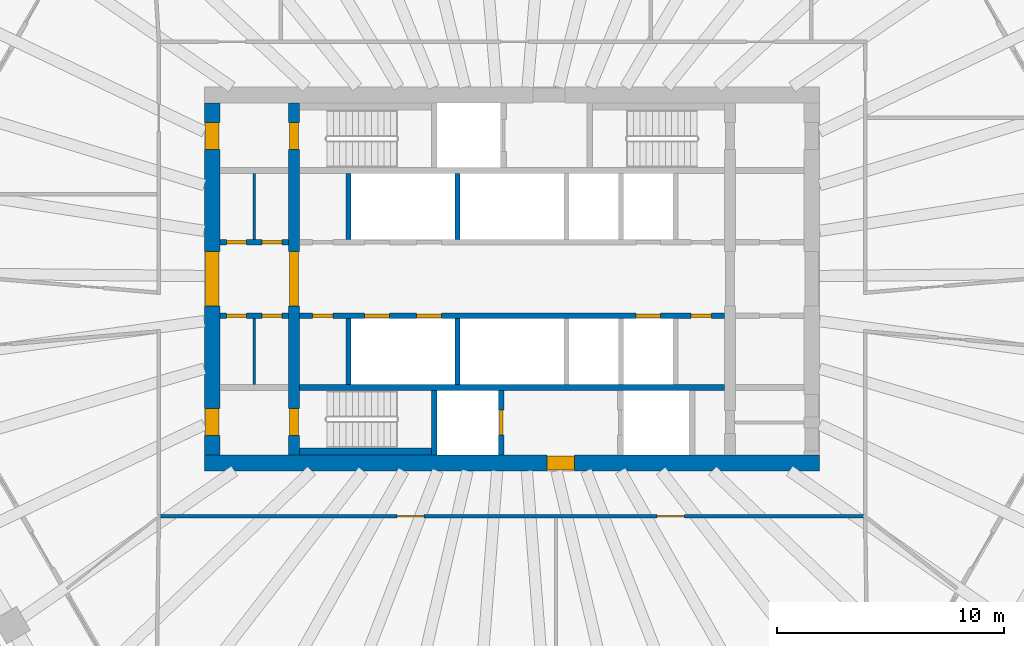
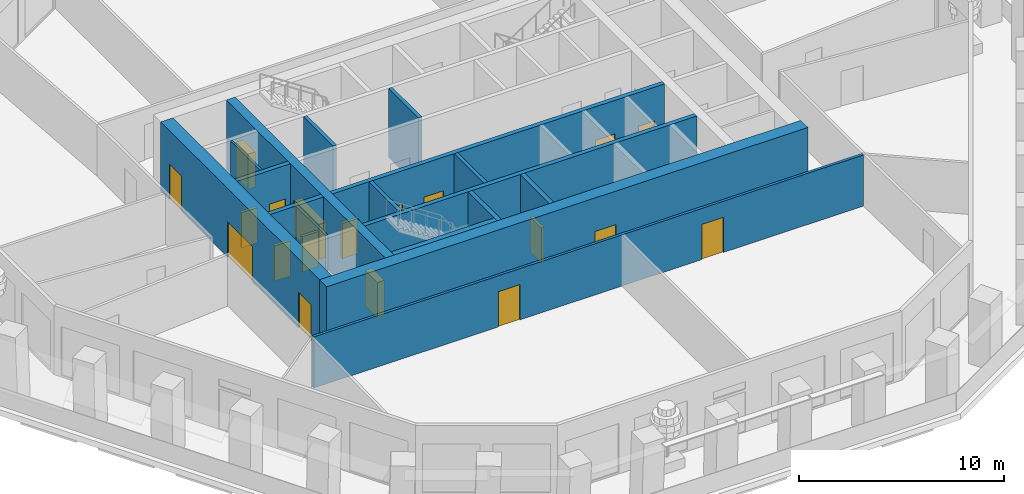
# One storey, part 4 of 12: 19 doors, 17 walls, 19 openings.
"""IFC4 building model written with IfcOpenShell, lengths in metres."""

from ifc_helpers import new_model, si_unit, direction, frame, frame_2d, origin, place, context, subcontext, project, spatial, rectangle, extrude, material, layer, layer_set, type_object, element, fill, save


model = new_model("IFC4")

# Units and contexts
model_context = context("Model", 3, precision=1e-05, world=origin(), true_north=direction((0.0, 1.0)))
body_context = subcontext(model_context, "Body", "Model", "MODEL_VIEW")
ifc_project = project(units=[si_unit("LENGTHUNIT", "METRE"), si_unit("AREAUNIT", "SQUARE_METRE"), si_unit("VOLUMEUNIT", "CUBIC_METRE"), si_unit("PLANEANGLEUNIT", "RADIAN"), si_unit("MASSUNIT", "GRAM", prefix="KILO")], contexts=[model_context])

# Site, building, storey
site_placement = place(None, origin())
site = spatial("IfcSite", under=ifc_project, at=site_placement, CompositionType="ELEMENT")
building_placement = place(site_placement, origin())
building = spatial("IfcBuilding", under=site, at=building_placement, Name="Frailejon Research Tower", CompositionType="ELEMENT")
storey_placement = place(building_placement, frame((0.0, 0.0, 154.0)))
storey = spatial("IfcBuildingStorey", under=building, at=storey_placement, Name="L33", CompositionType="ELEMENT", Elevation=154.0)

# Walls
ifc_material_1 = material(Name="Plasterboard on steel studs", Category="steel")
ifc_layer_1 = layer(ifc_material_1, 0.125)
ifc_layer_set_1 = layer_set([ifc_layer_1], Name="Core partition 125")
wall_type_1 = type_object("IfcWallType", Name="Core partition 125", PredefinedType="PARTITIONING", material=ifc_layer_set_1)
for number, where, z_axis, x_axis, name in (
    (1, (-11.35009765625, 1.75, 0.0), (0.0, 0.0, 1.0), (0.0, 1.0, 0.0), "Core partition"),
    (2, (-11.35009765625, -4.64990234375, 0.0), (0.0, 0.0, 1.0), (0.0, 1.0, 0.0), "Core partition"),
):
    element("IfcWall", number, at=place(storey_placement, frame(where, z_axis=z_axis, x_axis=x_axis)), inside=storey, type_object=wall_type_1, Name=name, PredefinedType="PARTITIONING", context=body_context, shape_type="SweptSolid", body=[
        extrude(rectangle(XDim=2.89990234375, YDim=0.125, at=frame_2d((1.449951171875, 0.0))), origin(), (0.0, 0.0, 1.0), 4.10009765625),
    ])

# Wall, openings, doors
ifc_material_2 = material(Name="Concrete C60/75", Category="concrete")
ifc_layer_2 = layer(ifc_material_2, 0.5)
ifc_layer_set_2 = layer_set([ifc_layer_2], Name="Core shear wall 500 C60/75")
wall_type_2 = type_object("IfcWallType", Name="Core shear wall 500 C60/75", PredefinedType="SHEAR", material=ifc_layer_set_2)
wall_1_placement = place(storey_placement, frame((-9.60009765625, -7.75, 0.0), z_axis=(0.0, 0.0, 1.0), x_axis=(0.0, 1.0, 0.0)))
wall_1 = element("IfcWall", 3, at=wall_1_placement, inside=storey, type_object=wall_type_2, Name="Core shear wall", PredefinedType="SHEAR", context=body_context, shape_type="SweptSolid", body=[
    extrude(rectangle(XDim=15.5, YDim=0.5, at=frame_2d((7.75, 0.0))), origin(), (0.0, 0.0, 1.0), 4.10009765625),
])
opening_1_placement = place(wall_1_placement, frame((6.550048828125, 0.0, 0.0)))
opening_1 = element("IfcOpeningElement", 4, at=opening_1_placement, cuts=wall_1, Name="Opening D2", PredefinedType="OPENING", context=body_context, shape_type="SweptSolid", body=[
    extrude(rectangle(XDim=2.39990234375, YDim=2.10009765625, at=frame_2d((1.199951171875, 1.050048828125))), frame((0.0, 0.260009765625, 0.0), z_axis=(0.0, -1.0, 0.0), x_axis=(1.0, 0.0, 0.0)), (0.0, 0.0, 1.0), 0.52001953125),
])
opening_2_placement = place(wall_1_placement, frame((13.449951171875, 0.0, 0.0)))
opening_2 = element("IfcOpeningElement", 5, at=opening_2_placement, cuts=wall_1, Name="Opening D1", PredefinedType="OPENING", context=body_context, shape_type="SweptSolid", body=[
    extrude(rectangle(XDim=1.199951171875, YDim=2.10009765625, at=frame_2d((0.60009765625, 1.050048828125))), frame((0.0, 0.260009765625, 0.0), z_axis=(0.0, -1.0, 0.0), x_axis=(1.0, 0.0, 0.0)), (0.0, 0.0, 1.0), 0.52001953125),
])
opening_3_placement = place(wall_1_placement, frame((0.85009765625, 0.0, 0.0)))
opening_3 = element("IfcOpeningElement", 6, at=opening_3_placement, cuts=wall_1, Name="Opening D1", PredefinedType="OPENING", context=body_context, shape_type="SweptSolid", body=[
    extrude(rectangle(XDim=1.199951171875, YDim=2.10009765625, at=frame_2d((0.60009765625, 1.050048828125))), frame((0.0, 0.260009765625, 0.0), z_axis=(0.0, -1.0, 0.0), x_axis=(1.0, 0.0, 0.0)), (0.0, 0.0, 1.0), 0.52001953125),
])
ifc_material_3 = material(Name="Steel", Category="steel")
door_type_1 = type_object("IfcDoorType", Name="Lobby double door", OperationType="DOUBLE_DOOR_SINGLE_SWING", PredefinedType="DOOR", material=ifc_material_3)
door_1_placement = place(opening_1_placement, origin())
door_1 = element("IfcDoor", 7, at=door_1_placement, inside=storey, type_object=door_type_1, Name="Lobby door", OperationType="DOUBLE_DOOR_SINGLE_SWING", OverallHeight=2.10009765625, OverallWidth=2.39990234375, PredefinedType="DOOR", context=body_context, shape_type="SweptSolid", body=[
    extrude(rectangle(XDim=2.39990234375, YDim=2.10009765625, at=frame_2d((1.199951171875, 1.050048828125))), frame((0.0, 0.199951171875, 0.0), z_axis=(0.0, -1.0, 0.0), x_axis=(1.0, 0.0, 0.0)), (0.0, 0.0, 1.0), 0.39990234375),
])
fill(opening_1, door_1)
ifc_material_4 = material(Name="Steel", Category="steel")
door_type_2 = type_object("IfcDoorType", Name="Stair door", OperationType="SINGLE_SWING_LEFT", PredefinedType="DOOR", material=ifc_material_4)
door_2_placement = place(opening_2_placement, origin())
door_2 = element("IfcDoor", 8, at=door_2_placement, inside=storey, type_object=door_type_2, Name="Stair door ST1", OperationType="SINGLE_SWING_RIGHT", OverallHeight=2.10009765625, OverallWidth=1.199951171875, PredefinedType="DOOR", context=body_context, shape_type="SweptSolid", body=[
    extrude(rectangle(XDim=1.199951171875, YDim=2.10009765625, at=frame_2d((0.60009765625, 1.050048828125))), frame((0.0, 0.199951171875, 0.0), z_axis=(0.0, -1.0, 0.0), x_axis=(1.0, 0.0, 0.0)), (0.0, 0.0, 1.0), 0.39990234375),
])
fill(opening_2, door_2)
door_3_placement = place(opening_3_placement, origin())
door_3 = element("IfcDoor", 9, at=door_3_placement, inside=storey, type_object=door_type_2, Name="Stair door ST2", OperationType="SINGLE_SWING_RIGHT", OverallHeight=2.10009765625, OverallWidth=1.199951171875, PredefinedType="DOOR", context=body_context, shape_type="SweptSolid", body=[
    extrude(rectangle(XDim=1.199951171875, YDim=2.10009765625, at=frame_2d((0.60009765625, 1.050048828125))), frame((0.0, 0.199951171875, 0.0), z_axis=(0.0, -1.0, 0.0), x_axis=(1.0, 0.0, 0.0)), (0.0, 0.0, 1.0), 0.39990234375),
])
fill(opening_3, door_3)

# Wall, opening, door
ifc_material_5 = material(Name="Concrete C60/75", Category="concrete")
ifc_layer_3 = layer(ifc_material_5, 0.699951171875)
ifc_layer_set_3 = layer_set([ifc_layer_3], Name="Core shear wall 700 C60/75")
wall_type_3 = type_object("IfcWallType", Name="Core shear wall 700 C60/75", PredefinedType="SHEAR", material=ifc_layer_set_3)
wall_2_placement = place(storey_placement, frame((-13.550048828125, -8.10009765625, 0.0), z_axis=(0.0, 0.0, 1.0), x_axis=(1.0, 0.0, 0.0)))
wall_2 = element("IfcWall", 10, at=wall_2_placement, inside=storey, type_object=wall_type_3, Name="Core shear wall", PredefinedType="SHEAR", context=body_context, shape_type="SweptSolid", body=[
    extrude(rectangle(XDim=27.10009765625, YDim=0.699951171875, at=frame_2d((13.550048828125, 0.0))), origin(), (0.0, 0.0, 1.0), 4.10009765625),
])
opening_4_placement = place(wall_2_placement, frame((15.10009765625, 0.0, 0.0)))
opening_4 = element("IfcOpeningElement", 11, at=opening_4_placement, cuts=wall_2, Name="Opening D3", PredefinedType="OPENING", context=body_context, shape_type="SweptSolid", body=[
    extrude(rectangle(XDim=1.199951171875, YDim=2.10009765625, at=frame_2d((0.60009765625, 1.050048828125))), frame((0.0, 0.35986328125, 0.0), z_axis=(0.0, -1.0, 0.0), x_axis=(1.0, 0.0, 0.0)), (0.0, 0.0, 1.0), 0.719970703125),
])
ifc_material_6 = material(Name="Steel", Category="steel")
door_type_3 = type_object("IfcDoorType", Name="Firefighting lobby door", OperationType="SINGLE_SWING_LEFT", PredefinedType="DOOR", material=ifc_material_6)
door_4_placement = place(opening_4_placement, origin())
door_4 = element("IfcDoor", 12, at=door_4_placement, inside=storey, type_object=door_type_3, Name="Firefighting lobby door", OperationType="SINGLE_SWING_RIGHT", OverallHeight=2.10009765625, OverallWidth=1.199951171875, PredefinedType="DOOR", context=body_context, shape_type="SweptSolid", body=[
    extrude(rectangle(XDim=1.199951171875, YDim=2.10009765625, at=frame_2d((0.60009765625, 1.050048828125))), frame((0.0, 0.300048828125, 0.0), z_axis=(0.0, -1.0, 0.0), x_axis=(1.0, 0.0, 0.0)), (0.0, 0.0, 1.0), 0.60009765625),
])
fill(opening_4, door_4)

# Wall, openings, doors
wall_3_placement = place(storey_placement, frame((-13.199951171875, -7.75, 0.0), z_axis=(0.0, 0.0, 1.0), x_axis=(0.0, 1.0, 0.0)))
wall_3 = element("IfcWall", 13, at=wall_3_placement, inside=storey, type_object=wall_type_3, Name="Core shear wall", PredefinedType="SHEAR", context=body_context, shape_type="SweptSolid", body=[
    extrude(rectangle(XDim=15.5, YDim=0.699951171875, at=frame_2d((7.75, 0.0))), origin(), (0.0, 0.0, 1.0), 4.10009765625),
])
opening_5_placement = place(wall_3_placement, frame((6.550048828125, 0.0, 0.0)))
opening_5 = element("IfcOpeningElement", 14, at=opening_5_placement, cuts=wall_3, Name="Opening D2", PredefinedType="OPENING", context=body_context, shape_type="SweptSolid", body=[
    extrude(rectangle(XDim=2.39990234375, YDim=2.10009765625, at=frame_2d((1.199951171875, 1.050048828125))), frame((0.0, 0.35986328125, 0.0), z_axis=(0.0, -1.0, 0.0), x_axis=(1.0, 0.0, 0.0)), (0.0, 0.0, 1.0), 0.719970703125),
])
opening_6_placement = place(wall_3_placement, frame((13.449951171875, 0.0, 0.0)))
opening_6 = element("IfcOpeningElement", 15, at=opening_6_placement, cuts=wall_3, Name="Opening D7", PredefinedType="OPENING", context=body_context, shape_type="SweptSolid", body=[
    extrude(rectangle(XDim=1.199951171875, YDim=2.10009765625, at=frame_2d((0.60009765625, 1.050048828125))), frame((0.0, 0.35986328125, 0.0), z_axis=(0.0, -1.0, 0.0), x_axis=(1.0, 0.0, 0.0)), (0.0, 0.0, 1.0), 0.719970703125),
])
opening_7_placement = place(wall_3_placement, frame((0.85009765625, 0.0, 0.0)))
opening_7 = element("IfcOpeningElement", 16, at=opening_7_placement, cuts=wall_3, Name="Opening D7", PredefinedType="OPENING", context=body_context, shape_type="SweptSolid", body=[
    extrude(rectangle(XDim=1.199951171875, YDim=2.10009765625, at=frame_2d((0.60009765625, 1.050048828125))), frame((0.0, 0.35986328125, 0.0), z_axis=(0.0, -1.0, 0.0), x_axis=(1.0, 0.0, 0.0)), (0.0, 0.0, 1.0), 0.719970703125),
])
door_5_placement = place(opening_5_placement, origin())
door_5 = element("IfcDoor", 17, at=door_5_placement, inside=storey, type_object=door_type_1, Name="Lobby door", OperationType="DOUBLE_DOOR_SINGLE_SWING", OverallHeight=2.10009765625, OverallWidth=2.39990234375, PredefinedType="DOOR", context=body_context, shape_type="SweptSolid", body=[
    extrude(rectangle(XDim=2.39990234375, YDim=2.10009765625, at=frame_2d((1.199951171875, 1.050048828125))), frame((0.0, 0.300048828125, 0.0), z_axis=(0.0, -1.0, 0.0), x_axis=(1.0, 0.0, 0.0)), (0.0, 0.0, 1.0), 0.60009765625),
])
fill(opening_5, door_5)
ifc_material_7 = material(Name="Steel", Category="steel")
door_type_4 = type_object("IfcDoorType", Name="Stair exit door", OperationType="SINGLE_SWING_LEFT", PredefinedType="DOOR", material=ifc_material_7)
door_6_placement = place(opening_6_placement, origin())
door_6 = element("IfcDoor", 18, at=door_6_placement, inside=storey, type_object=door_type_4, Name="Stair exit door ST1", OperationType="SINGLE_SWING_LEFT", OverallHeight=2.10009765625, OverallWidth=1.199951171875, PredefinedType="DOOR", context=body_context, shape_type="SweptSolid", body=[
    extrude(rectangle(XDim=1.199951171875, YDim=2.10009765625, at=frame_2d((0.60009765625, 1.050048828125))), frame((0.0, 0.300048828125, 0.0), z_axis=(0.0, -1.0, 0.0), x_axis=(1.0, 0.0, 0.0)), (0.0, 0.0, 1.0), 0.60009765625),
])
fill(opening_6, door_6)
door_7_placement = place(opening_7_placement, origin())
door_7 = element("IfcDoor", 19, at=door_7_placement, inside=storey, type_object=door_type_4, Name="Stair exit door ST2", OperationType="SINGLE_SWING_LEFT", OverallHeight=2.10009765625, OverallWidth=1.199951171875, PredefinedType="DOOR", context=body_context, shape_type="SweptSolid", body=[
    extrude(rectangle(XDim=1.199951171875, YDim=2.10009765625, at=frame_2d((0.60009765625, 1.050048828125))), frame((0.0, 0.300048828125, 0.0), z_axis=(0.0, -1.0, 0.0), x_axis=(1.0, 0.0, 0.0)), (0.0, 0.0, 1.0), 0.60009765625),
])
fill(opening_7, door_7)

ifc_material_8 = material(Name="Gypsum board and masonry partition", Category="masonry")
ifc_layer_4 = layer(ifc_material_8, 0.14990234375)
ifc_layer_set_4 = layer_set([ifc_layer_4], Name="Corridor wall EI 60, gypsum on steel studs 150")
wall_type_4 = type_object("IfcWallType", Name="Corridor wall EI 60, gypsum on steel studs 150", PredefinedType="PARTITIONING", material=ifc_layer_set_4)
wall_4_placement = place(storey_placement, frame((-15.47509765625, -10.449951171875, 0.0), z_axis=(0.0, 0.0, 1.0), x_axis=(1.0, 0.0, 0.0)))
wall_4 = element("IfcWall", 20, at=wall_4_placement, inside=storey, type_object=wall_type_4, Name="T:IW:L33:008", PredefinedType="PARTITIONING", context=body_context, shape_type="SweptSolid", body=[
    extrude(rectangle(XDim=30.9501953125, YDim=0.14990234375, at=frame_2d((15.47509765625, 0.0))), origin(), (0.0, 0.0, 1.0), 3.050048828125),
])
opening_8_placement = place(wall_4_placement, frame((10.408203125, 0.0, 0.0)))
opening_8 = element("IfcOpeningElement", 21, at=opening_8_placement, cuts=wall_4, Name="Opening D1730", PredefinedType="OPENING", context=body_context, shape_type="SweptSolid", body=[
    extrude(rectangle(XDim=1.199951171875, YDim=2.10009765625, at=frame_2d((0.60009765625, 1.050048828125))), frame((0.0, 0.0849609375, 0.0), z_axis=(0.0, -1.0, 0.0), x_axis=(1.0, 0.0, 0.0)), (0.0, 0.0, 1.0), 0.169921875),
])
opening_9_placement = place(wall_4_placement, frame((21.863037109375, 0.0, 0.0)))
opening_9 = element("IfcOpeningElement", 22, at=opening_9_placement, cuts=wall_4, Name="Opening D1731", PredefinedType="OPENING", context=body_context, shape_type="SweptSolid", body=[
    extrude(rectangle(XDim=1.199951171875, YDim=2.10009765625, at=frame_2d((0.60009765625, 1.050048828125))), frame((0.0, 0.0849609375, 0.0), z_axis=(0.0, -1.0, 0.0), x_axis=(1.0, 0.0, 0.0)), (0.0, 0.0, 1.0), 0.169921875),
])
ifc_material_9 = material(Name="Timber door leaf", Category="wood")
door_type_5 = type_object("IfcDoorType", Name="Door laboratory, timber, vision panel 1200", OperationType="NOTDEFINED", PredefinedType="DOOR", material=ifc_material_9)
door_8_placement = place(opening_8_placement, origin())
door_8 = element("IfcDoor", 23, at=door_8_placement, inside=storey, type_object=door_type_5, Name="D1730", OperationType="DOUBLE_DOOR_SINGLE_SWING", OverallHeight=2.10009765625, OverallWidth=1.199951171875, PredefinedType="DOOR", context=body_context, shape_type="SweptSolid", body=[
    extrude(rectangle(XDim=1.199951171875, YDim=2.10009765625, at=frame_2d((0.60009765625, 1.050048828125))), frame((0.0, 0.02490234375, 0.0), z_axis=(0.0, -1.0, 0.0), x_axis=(1.0, 0.0, 0.0)), (0.0, 0.0, 1.0), 0.050048828125),
])
fill(opening_8, door_8)
door_9_placement = place(opening_9_placement, origin())
door_9 = element("IfcDoor", 24, at=door_9_placement, inside=storey, type_object=door_type_5, Name="D1731", OperationType="DOUBLE_DOOR_SINGLE_SWING", OverallHeight=2.10009765625, OverallWidth=1.199951171875, PredefinedType="DOOR", context=body_context, shape_type="SweptSolid", body=[
    extrude(rectangle(XDim=1.199951171875, YDim=2.10009765625, at=frame_2d((0.60009765625, 1.050048828125))), frame((0.0, 0.02490234375, 0.0), z_axis=(0.0, -1.0, 0.0), x_axis=(1.0, 0.0, 0.0)), (0.0, 0.0, 1.0), 0.050048828125),
])
fill(opening_9, door_9)

# Walls
ifc_material_10 = material(Name="Concrete C60/75", Category="concrete")
ifc_layer_5 = layer(ifc_material_10, 0.199951171875)
ifc_layer_set_5 = layer_set([ifc_layer_5], Name="Shaft wall 200 C60/75")
wall_type_5 = type_object("IfcWallType", Name="Shaft wall 200 C60/75", PredefinedType="SOLIDWALL", material=ifc_layer_set_5)
for number, where, z_axis, x_axis, name in (
    (25, (-7.199951171875, 1.75, 0.0), (0.0, 0.0, 1.0), (0.0, 1.0, 0.0), "Shaft wall"),
    (26, (-2.39990234375, 1.75, 0.0), (0.0, 0.0, 1.0), (0.0, 1.0, 0.0), "Shaft wall"),
    (27, (-7.199951171875, -4.64990234375, 0.0), (0.0, 0.0, 1.0), (0.0, 1.0, 0.0), "Shaft wall"),
    (28, (-2.39990234375, -4.64990234375, 0.0), (0.0, 0.0, 1.0), (0.0, 1.0, 0.0), "Shaft wall"),
):
    element("IfcWall", number, at=place(storey_placement, frame(where, z_axis=z_axis, x_axis=x_axis)), inside=storey, type_object=wall_type_5, Name=name, PredefinedType="SOLIDWALL", context=body_context, shape_type="SweptSolid", body=[
        extrude(rectangle(XDim=2.89990234375, YDim=0.199951171875, at=frame_2d((1.449951171875, 0.0))), origin(), (0.0, 0.0, 1.0), 4.10009765625),
    ])

# Wall, openings, doors
ifc_material_11 = material(Name="Concrete C60/75", Category="concrete")
ifc_layer_6 = layer(ifc_material_11, 0.25)
ifc_layer_set_6 = layer_set([ifc_layer_6], Name="Shaft wall 250 C60/75")
wall_type_6 = type_object("IfcWallType", Name="Shaft wall 250 C60/75", PredefinedType="SOLIDWALL", material=ifc_layer_set_6)
wall_5_placement = place(storey_placement, frame((-12.85009765625, 1.625, 0.0), z_axis=(0.0, 0.0, 1.0), x_axis=(1.0, 0.0, 0.0)))
wall_5 = element("IfcWall", 29, at=wall_5_placement, inside=storey, type_object=wall_type_6, Name="Shaft wall", PredefinedType="SOLIDWALL", context=body_context, shape_type="SweptSolid", body=[
    extrude(rectangle(XDim=3.0, YDim=0.25, at=frame_2d((1.5, 0.0))), origin(), (0.0, 0.0, 1.0), 4.10009765625),
])
opening_10_placement = place(wall_5_placement, frame((0.268798828125, 0.0, 0.0)))
opening_10 = element("IfcOpeningElement", 30, at=opening_10_placement, cuts=wall_5, Name="Opening D8", PredefinedType="OPENING", context=body_context, shape_type="SweptSolid", body=[
    extrude(rectangle(XDim=0.89990234375, YDim=2.10009765625, at=frame_2d((0.449951171875, 1.050048828125))), frame((0.0, 0.135009765625, 0.0), z_axis=(0.0, -1.0, 0.0), x_axis=(1.0, 0.0, 0.0)), (0.0, 0.0, 1.0), 0.27001953125),
])
opening_11_placement = place(wall_5_placement, frame((1.831298828125, 0.0, 0.0)))
opening_11 = element("IfcOpeningElement", 31, at=opening_11_placement, cuts=wall_5, Name="Opening D8", PredefinedType="OPENING", context=body_context, shape_type="SweptSolid", body=[
    extrude(rectangle(XDim=0.89990234375, YDim=2.10009765625, at=frame_2d((0.449951171875, 1.050048828125))), frame((0.0, 0.135009765625, 0.0), z_axis=(0.0, -1.0, 0.0), x_axis=(1.0, 0.0, 0.0)), (0.0, 0.0, 1.0), 0.27001953125),
])
ifc_material_12 = material(Name="Steel", Category="steel")
door_type_6 = type_object("IfcDoorType", Name="Core room door", OperationType="SINGLE_SWING_LEFT", PredefinedType="DOOR", material=ifc_material_12)
door_10_placement = place(opening_10_placement, origin())
door_10 = element("IfcDoor", 32, at=door_10_placement, inside=storey, type_object=door_type_6, Name="Room door", OperationType="SINGLE_SWING_LEFT", OverallHeight=2.10009765625, OverallWidth=0.89990234375, PredefinedType="DOOR", context=body_context, shape_type="SweptSolid", body=[
    extrude(rectangle(XDim=0.89990234375, YDim=2.10009765625, at=frame_2d((0.449951171875, 1.050048828125))), frame((0.0, 0.074951171875, 0.0), z_axis=(0.0, -1.0, 0.0), x_axis=(1.0, 0.0, 0.0)), (0.0, 0.0, 1.0), 0.14990234375),
])
fill(opening_10, door_10)
door_11_placement = place(opening_11_placement, origin())
door_11 = element("IfcDoor", 33, at=door_11_placement, inside=storey, type_object=door_type_6, Name="Room door", OperationType="SINGLE_SWING_RIGHT", OverallHeight=2.10009765625, OverallWidth=0.89990234375, PredefinedType="DOOR", context=body_context, shape_type="SweptSolid", body=[
    extrude(rectangle(XDim=0.89990234375, YDim=2.10009765625, at=frame_2d((0.449951171875, 1.050048828125))), frame((0.0, 0.074951171875, 0.0), z_axis=(0.0, -1.0, 0.0), x_axis=(1.0, 0.0, 0.0)), (0.0, 0.0, 1.0), 0.14990234375),
])
fill(opening_11, door_11)

wall_6_placement = place(storey_placement, frame((-12.85009765625, -1.625, 0.0), z_axis=(0.0, 0.0, 1.0), x_axis=(1.0, 0.0, 0.0)))
wall_6 = element("IfcWall", 34, at=wall_6_placement, inside=storey, type_object=wall_type_6, Name="Shaft wall", PredefinedType="SOLIDWALL", context=body_context, shape_type="SweptSolid", body=[
    extrude(rectangle(XDim=3.0, YDim=0.25, at=frame_2d((1.5, 0.0))), origin(), (0.0, 0.0, 1.0), 4.10009765625),
])
opening_12_placement = place(wall_6_placement, frame((0.268798828125, 0.0, 0.0)))
opening_12 = element("IfcOpeningElement", 35, at=opening_12_placement, cuts=wall_6, Name="Opening D8", PredefinedType="OPENING", context=body_context, shape_type="SweptSolid", body=[
    extrude(rectangle(XDim=0.89990234375, YDim=2.10009765625, at=frame_2d((0.449951171875, 1.050048828125))), frame((0.0, 0.135009765625, 0.0), z_axis=(0.0, -1.0, 0.0), x_axis=(1.0, 0.0, 0.0)), (0.0, 0.0, 1.0), 0.27001953125),
])
opening_13_placement = place(wall_6_placement, frame((1.831298828125, 0.0, 0.0)))
opening_13 = element("IfcOpeningElement", 36, at=opening_13_placement, cuts=wall_6, Name="Opening D8", PredefinedType="OPENING", context=body_context, shape_type="SweptSolid", body=[
    extrude(rectangle(XDim=0.89990234375, YDim=2.10009765625, at=frame_2d((0.449951171875, 1.050048828125))), frame((0.0, 0.135009765625, 0.0), z_axis=(0.0, -1.0, 0.0), x_axis=(1.0, 0.0, 0.0)), (0.0, 0.0, 1.0), 0.27001953125),
])
door_12_placement = place(opening_12_placement, origin())
door_12 = element("IfcDoor", 37, at=door_12_placement, inside=storey, type_object=door_type_6, Name="Room door", OperationType="SINGLE_SWING_RIGHT", OverallHeight=2.10009765625, OverallWidth=0.89990234375, PredefinedType="DOOR", context=body_context, shape_type="SweptSolid", body=[
    extrude(rectangle(XDim=0.89990234375, YDim=2.10009765625, at=frame_2d((0.449951171875, 1.050048828125))), frame((0.0, 0.074951171875, 0.0), z_axis=(0.0, -1.0, 0.0), x_axis=(1.0, 0.0, 0.0)), (0.0, 0.0, 1.0), 0.14990234375),
])
fill(opening_12, door_12)
door_13_placement = place(opening_13_placement, origin())
door_13 = element("IfcDoor", 38, at=door_13_placement, inside=storey, type_object=door_type_6, Name="Room door", OperationType="SINGLE_SWING_LEFT", OverallHeight=2.10009765625, OverallWidth=0.89990234375, PredefinedType="DOOR", context=body_context, shape_type="SweptSolid", body=[
    extrude(rectangle(XDim=0.89990234375, YDim=2.10009765625, at=frame_2d((0.449951171875, 1.050048828125))), frame((0.0, 0.074951171875, 0.0), z_axis=(0.0, -1.0, 0.0), x_axis=(1.0, 0.0, 0.0)), (0.0, 0.0, 1.0), 0.14990234375),
])
fill(opening_13, door_13)

wall_7_placement = place(storey_placement, frame((-9.35009765625, -1.625, 0.0), z_axis=(0.0, 0.0, 1.0), x_axis=(1.0, 0.0, 0.0)))
wall_7 = element("IfcWall", 39, at=wall_7_placement, inside=storey, type_object=wall_type_6, Name="Shaft wall", PredefinedType="SOLIDWALL", context=body_context, shape_type="SweptSolid", body=[
    extrude(rectangle(XDim=18.7001953125, YDim=0.25, at=frame_2d((9.35009765625, 0.0))), origin(), (0.0, 0.0, 1.0), 4.10009765625),
])
opening_14_placement = place(wall_7_placement, frame((2.85009765625, 0.0, 0.0)))
opening_14 = element("IfcOpeningElement", 40, at=opening_14_placement, cuts=wall_7, Name="Opening LD", PredefinedType="OPENING", context=body_context, shape_type="SweptSolid", body=[
    extrude(rectangle(XDim=1.10009765625, YDim=2.10009765625, at=frame_2d((0.550048828125, 1.050048828125))), frame((0.0, 0.135009765625, 0.0), z_axis=(0.0, -1.0, 0.0), x_axis=(1.0, 0.0, 0.0)), (0.0, 0.0, 1.0), 0.27001953125),
])
opening_15_placement = place(wall_7_placement, frame((5.14990234375, 0.0, 0.0)))
opening_15 = element("IfcOpeningElement", 41, at=opening_15_placement, cuts=wall_7, Name="Opening LD", PredefinedType="OPENING", context=body_context, shape_type="SweptSolid", body=[
    extrude(rectangle(XDim=1.10009765625, YDim=2.10009765625, at=frame_2d((0.550048828125, 1.050048828125))), frame((0.0, 0.135009765625, 0.0), z_axis=(0.0, -1.0, 0.0), x_axis=(1.0, 0.0, 0.0)), (0.0, 0.0, 1.0), 0.27001953125),
])
opening_16_placement = place(wall_7_placement, frame((14.800048828125, 0.0, 0.0)))
opening_16 = element("IfcOpeningElement", 42, at=opening_16_placement, cuts=wall_7, Name="Opening LD", PredefinedType="OPENING", context=body_context, shape_type="SweptSolid", body=[
    extrude(rectangle(XDim=1.10009765625, YDim=2.10009765625, at=frame_2d((0.550048828125, 1.050048828125))), frame((0.0, 0.135009765625, 0.0), z_axis=(0.0, -1.0, 0.0), x_axis=(1.0, 0.0, 0.0)), (0.0, 0.0, 1.0), 0.27001953125),
])
opening_17_placement = place(wall_7_placement, frame((0.574951171875, 0.0, 0.0)))
opening_17 = element("IfcOpeningElement", 43, at=opening_17_placement, cuts=wall_7, Name="Opening D8", PredefinedType="OPENING", context=body_context, shape_type="SweptSolid", body=[
    extrude(rectangle(XDim=0.89990234375, YDim=2.10009765625, at=frame_2d((0.449951171875, 1.050048828125))), frame((0.0, 0.135009765625, 0.0), z_axis=(0.0, -1.0, 0.0), x_axis=(1.0, 0.0, 0.0)), (0.0, 0.0, 1.0), 0.27001953125),
])
opening_18_placement = place(wall_7_placement, frame((17.22509765625, 0.0, 0.0)))
opening_18 = element("IfcOpeningElement", 44, at=opening_18_placement, cuts=wall_7, Name="Opening D8", PredefinedType="OPENING", context=body_context, shape_type="SweptSolid", body=[
    extrude(rectangle(XDim=0.89990234375, YDim=2.10009765625, at=frame_2d((0.449951171875, 1.050048828125))), frame((0.0, 0.135009765625, 0.0), z_axis=(0.0, -1.0, 0.0), x_axis=(1.0, 0.0, 0.0)), (0.0, 0.0, 1.0), 0.27001953125),
])
door_14_placement = place(opening_17_placement, origin())
door_14 = element("IfcDoor", 45, at=door_14_placement, inside=storey, type_object=door_type_6, Name="Room door", OperationType="SINGLE_SWING_RIGHT", OverallHeight=2.10009765625, OverallWidth=0.89990234375, PredefinedType="DOOR", context=body_context, shape_type="SweptSolid", body=[
    extrude(rectangle(XDim=0.89990234375, YDim=2.10009765625, at=frame_2d((0.449951171875, 1.050048828125))), frame((0.0, 0.074951171875, 0.0), z_axis=(0.0, -1.0, 0.0), x_axis=(1.0, 0.0, 0.0)), (0.0, 0.0, 1.0), 0.14990234375),
])
fill(opening_17, door_14)
door_15_placement = place(opening_18_placement, origin())
door_15 = element("IfcDoor", 46, at=door_15_placement, inside=storey, type_object=door_type_6, Name="Room door", OperationType="SINGLE_SWING_LEFT", OverallHeight=2.10009765625, OverallWidth=0.89990234375, PredefinedType="DOOR", context=body_context, shape_type="SweptSolid", body=[
    extrude(rectangle(XDim=0.89990234375, YDim=2.10009765625, at=frame_2d((0.449951171875, 1.050048828125))), frame((0.0, 0.074951171875, 0.0), z_axis=(0.0, -1.0, 0.0), x_axis=(1.0, 0.0, 0.0)), (0.0, 0.0, 1.0), 0.14990234375),
])
fill(opening_18, door_15)
ifc_material_13 = material(Name="Steel", Category="steel")
door_type_7 = type_object("IfcDoorType", Name="Lift landing door", OperationType="DOUBLE_DOOR_SLIDING", PredefinedType="DOOR", material=ifc_material_13)
door_16_placement = place(opening_14_placement, origin())
door_16 = element("IfcDoor", 47, at=door_16_placement, inside=storey, type_object=door_type_7, Name="Lift landing door", OperationType="DOUBLE_DOOR_SLIDING", OverallHeight=2.10009765625, OverallWidth=1.10009765625, PredefinedType="DOOR", context=body_context, shape_type="SweptSolid", body=[
    extrude(rectangle(XDim=1.10009765625, YDim=2.10009765625, at=frame_2d((0.550048828125, 1.050048828125))), frame((0.0, 0.074951171875, 0.0), z_axis=(0.0, -1.0, 0.0), x_axis=(1.0, 0.0, 0.0)), (0.0, 0.0, 1.0), 0.14990234375),
])
fill(opening_14, door_16)
door_17_placement = place(opening_15_placement, origin())
door_17 = element("IfcDoor", 48, at=door_17_placement, inside=storey, type_object=door_type_7, Name="Lift landing door", OperationType="DOUBLE_DOOR_SLIDING", OverallHeight=2.10009765625, OverallWidth=1.10009765625, PredefinedType="DOOR", context=body_context, shape_type="SweptSolid", body=[
    extrude(rectangle(XDim=1.10009765625, YDim=2.10009765625, at=frame_2d((0.550048828125, 1.050048828125))), frame((0.0, 0.074951171875, 0.0), z_axis=(0.0, -1.0, 0.0), x_axis=(1.0, 0.0, 0.0)), (0.0, 0.0, 1.0), 0.14990234375),
])
fill(opening_15, door_17)
door_18_placement = place(opening_16_placement, origin())
door_18 = element("IfcDoor", 49, at=door_18_placement, inside=storey, type_object=door_type_7, Name="Lift landing door", OperationType="DOUBLE_DOOR_SLIDING", OverallHeight=2.10009765625, OverallWidth=1.10009765625, PredefinedType="DOOR", context=body_context, shape_type="SweptSolid", body=[
    extrude(rectangle(XDim=1.10009765625, YDim=2.10009765625, at=frame_2d((0.550048828125, 1.050048828125))), frame((0.0, 0.074951171875, 0.0), z_axis=(0.0, -1.0, 0.0), x_axis=(1.0, 0.0, 0.0)), (0.0, 0.0, 1.0), 0.14990234375),
])
fill(opening_16, door_18)

# Walls
wall_8_placement = place(storey_placement, frame((-9.35009765625, -4.77490234375, 0.0), z_axis=(0.0, 0.0, 1.0), x_axis=(1.0, 0.0, 0.0)))
element("IfcWall", 50, at=wall_8_placement, inside=storey, type_object=wall_type_6, Name="Shaft wall", PredefinedType="SOLIDWALL", context=body_context, shape_type="SweptSolid", body=[
    extrude(rectangle(XDim=18.7001953125, YDim=0.25, at=frame_2d((9.35009765625, 0.0))), origin(), (0.0, 0.0, 1.0), 4.10009765625),
])
wall_9_placement = place(storey_placement, frame((-3.425048828125, -7.75, 0.0), z_axis=(0.0, 0.0, 1.0), x_axis=(0.0, 1.0, 0.0)))
element("IfcWall", 51, at=wall_9_placement, inside=storey, type_object=wall_type_6, Name="Shaft wall", PredefinedType="SOLIDWALL", context=body_context, shape_type="SweptSolid", body=[
    extrude(rectangle(XDim=2.85009765625, YDim=0.25, at=frame_2d((1.425048828125, 0.0))), origin(), (0.0, 0.0, 1.0), 4.10009765625),
])

# Wall, opening, door
wall_10_placement = place(storey_placement, frame((-0.47509765625, -7.75, 0.0), z_axis=(0.0, 0.0, 1.0), x_axis=(0.0, 1.0, 0.0)))
wall_10 = element("IfcWall", 52, at=wall_10_placement, inside=storey, type_object=wall_type_6, Name="Shaft wall", PredefinedType="SOLIDWALL", context=body_context, shape_type="SweptSolid", body=[
    extrude(rectangle(XDim=2.85009765625, YDim=0.25, at=frame_2d((1.425048828125, 0.0))), origin(), (0.0, 0.0, 1.0), 4.10009765625),
])
opening_19_placement = place(wall_10_placement, frame((0.875, 0.0, 0.0)))
opening_19 = element("IfcOpeningElement", 53, at=opening_19_placement, cuts=wall_10, Name="Opening LD", PredefinedType="OPENING", context=body_context, shape_type="SweptSolid", body=[
    extrude(rectangle(XDim=1.10009765625, YDim=2.10009765625, at=frame_2d((0.550048828125, 1.050048828125))), frame((0.0, 0.135009765625, 0.0), z_axis=(0.0, -1.0, 0.0), x_axis=(1.0, 0.0, 0.0)), (0.0, 0.0, 1.0), 0.27001953125),
])
door_19_placement = place(opening_19_placement, origin())
door_19 = element("IfcDoor", 54, at=door_19_placement, inside=storey, type_object=door_type_7, Name="Lift landing door", OperationType="DOUBLE_DOOR_SLIDING", OverallHeight=2.10009765625, OverallWidth=1.10009765625, PredefinedType="DOOR", context=body_context, shape_type="SweptSolid", body=[
    extrude(rectangle(XDim=1.10009765625, YDim=2.10009765625, at=frame_2d((0.550048828125, 1.050048828125))), frame((0.0, 0.074951171875, 0.0), z_axis=(0.0, -1.0, 0.0), x_axis=(1.0, 0.0, 0.0)), (0.0, 0.0, 1.0), 0.14990234375),
])
fill(opening_19, door_19)

# Wall
ifc_material_14 = material(Name="Concrete C60/75", Category="concrete")
ifc_layer_7 = layer(ifc_material_14, 0.300048828125)
ifc_layer_set_7 = layer_set([ifc_layer_7], Name="Shaft wall 300 C60/75")
wall_type_7 = type_object("IfcWallType", Name="Shaft wall 300 C60/75", PredefinedType="SOLIDWALL", material=ifc_layer_set_7)
wall_11_placement = place(storey_placement, frame((-9.35009765625, -7.60009765625, 0.0), z_axis=(0.0, 0.0, 1.0), x_axis=(1.0, 0.0, 0.0)))
element("IfcWall", 55, at=wall_11_placement, inside=storey, type_object=wall_type_7, Name="Shaft wall", PredefinedType="SOLIDWALL", context=body_context, shape_type="SweptSolid", body=[
    extrude(rectangle(XDim=5.800048828125, YDim=0.300048828125, at=frame_2d((2.89990234375, 0.0))), origin(), (0.0, 0.0, 1.0), 4.10009765625),
])

save(model, "model.ifc")
